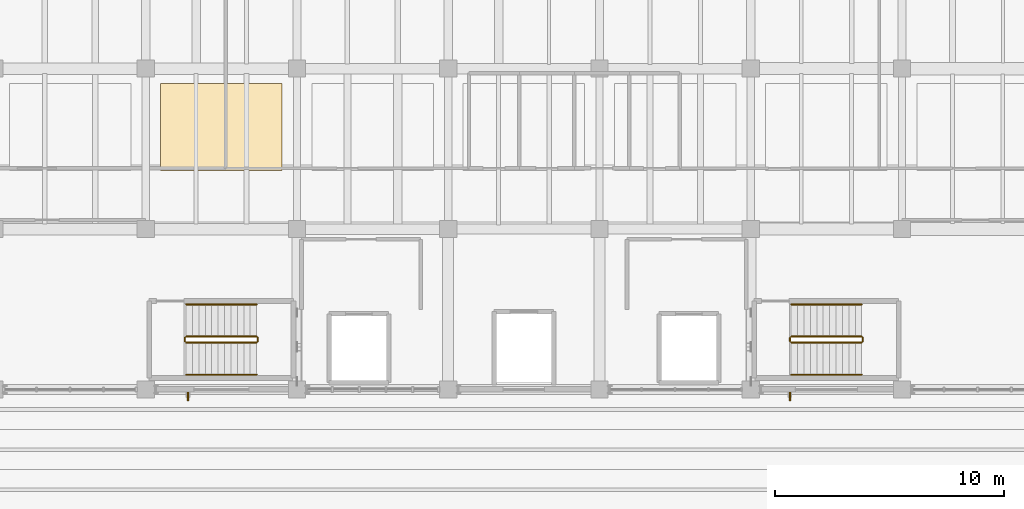
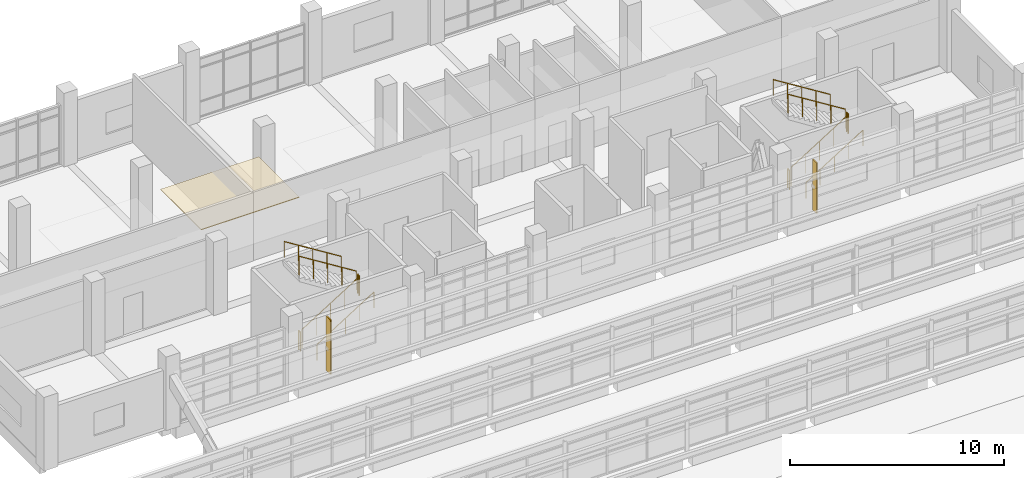
# One storey, part 91 of 92: 12 railings, 2 shading devices, 1 covering.
"""IFC4 building model written with IfcOpenShell, lengths in metres."""

from ifc_helpers import new_model, si_unit, direction, frame, origin, origin_2d, place, context, subcontext, project, spatial, polyline, rectangle, circle, outline, extrude, material, layer, layer_set, material_profile, profile_set, type_object, element, save


model = new_model("IFC4")

# Units and contexts
model_context = context("Model", 3, precision=1e-05, world=origin(), true_north=direction((0.0, 1.0)))
body_context = subcontext(model_context, "Body", "Model", "MODEL_VIEW")
ifc_project = project(units=[si_unit("LENGTHUNIT", "METRE"), si_unit("AREAUNIT", "SQUARE_METRE"), si_unit("VOLUMEUNIT", "CUBIC_METRE"), si_unit("PLANEANGLEUNIT", "RADIAN"), si_unit("MASSUNIT", "GRAM", prefix="KILO")], contexts=[model_context])

# Site, building, storey
site_placement = place(None, origin())
site = spatial("IfcSite", under=ifc_project, at=site_placement, CompositionType="ELEMENT")
building_placement = place(site_placement, origin())
building = spatial("IfcBuilding", under=site, at=building_placement, Name="Ciguamira Faculty of Natural Sciences", CompositionType="ELEMENT")
storey_placement = place(building_placement, frame((0.0, 0.0, 16.800048828125)))
storey = spatial("IfcBuildingStorey", under=building, at=storey_placement, Name="L04", CompositionType="ELEMENT", Elevation=16.800048828125)

# Covering
ifc_material_1 = material(Name="Perforated white acoustic ceiling")
ifc_layer = layer(ifc_material_1, 0.0400390625, Name="Perforated white acoustic ceiling")
ifc_layer_set = layer_set([ifc_layer], Name="Perforated white acoustic ceiling")
covering_type = type_object("IfcCoveringType", Name="AcousticCeiling_AC01", PredefinedType="CEILING", material=ifc_layer_set)
covering_placement = place(storey_placement, frame((0.0, 0.0, 2.760009765625)))
element("IfcCovering", 1, at=covering_placement, inside=storey, type_object=covering_type, Name="L04 research bay 02 acoustic ceiling", PredefinedType="CEILING", context=body_context, shape_type="SweptSolid", body=[
    extrude(outline(polyline([(71.14990234375, 103.550048828125), (76.449951171875, 103.550048828125), (76.449951171875, 107.35009765625), (71.14990234375, 107.35009765625), (71.14990234375, 103.550048828125)])), origin(), (0.0, 0.0, 1.0), 0.0400390625),
])

# Railings
ifc_material_2 = material(Name="Stainless steel balustrade", Category="steel")
railing_type_1 = type_object("IfcRailingType", Name="Guardrail_GR01", PredefinedType="GUARDRAIL", material=ifc_material_2)
railing_1_placement = place(storey_placement, frame((72.260009765625, 96.050048828125, 0.175048828125)))
element("IfcRailing", 2, at=railing_1_placement, inside=storey, type_object=railing_type_1, Name="L04 ST-T1 stair guard 1", PredefinedType="GUARDRAIL", context=body_context, shape_type="SweptSolid", body=[
    extrude(circle(Radius=0.02392578125, at=origin_2d()), frame((0.0, 0.0, 1.076171875), z_axis=(0.848028513186, 0.0, 0.529950602248), x_axis=(0.0, 1.0, 0.0)), (0.0, 0.0, 1.0), 3.632080078125),
    extrude(circle(Radius=0.02099609375, at=origin_2d()), origin(), (0.0, 0.0, 1.0), 1.052001953125),
    extrude(circle(Radius=0.02099609375, at=origin_2d()), frame((0.77001953125, 0.0, 0.481201171875)), (0.0, 0.0, 1.0), 1.052001953125),
    extrude(circle(Radius=0.02099609375, at=origin_2d()), frame((1.5400390625, 0.0, 0.96240234375)), (0.0, 0.0, 1.0), 1.052001953125),
    extrude(circle(Radius=0.02099609375, at=origin_2d()), frame((2.31005859375, 0.0, 1.443603515625)), (0.0, 0.0, 1.0), 1.052001953125),
    extrude(circle(Radius=0.02099609375, at=origin_2d()), frame((3.080078125, 0.0, 1.9248046875)), (0.0, 0.0, 1.0), 1.052001953125),
])
railing_2_placement = place(storey_placement, frame((75.389892578125, 96.10009765625, 2.099853515625)))
element("IfcRailing", 3, at=railing_2_placement, inside=storey, type_object=railing_type_1, Name="L04 ST-T1 stair guard 2", PredefinedType="GUARDRAIL", context=body_context, shape_type="SweptSolid", body=[
    extrude(circle(Radius=0.02392578125, at=origin_2d()), frame((0.0, 0.0, 1.076171875), z_axis=(0.0, 1.0, 0.0), x_axis=(-1.0, 0.0, 0.0)), (0.0, 0.0, 1.0), 0.159912109375),
    extrude(circle(Radius=0.02099609375, at=origin_2d()), origin(), (0.0, 0.0, 1.0), 1.052001953125),
    extrude(circle(Radius=0.02099609375, at=origin_2d()), frame((0.0, 0.159912109375, 0.0)), (0.0, 0.0, 1.0), 1.052001953125),
])
railing_3_placement = place(storey_placement, frame((75.340087890625, 96.31005859375, 2.27490234375)))
element("IfcRailing", 4, at=railing_3_placement, inside=storey, type_object=railing_type_1, Name="L04 ST-T1 stair guard 3", PredefinedType="GUARDRAIL", context=body_context, shape_type="SweptSolid", body=[
    extrude(circle(Radius=0.02392578125, at=origin_2d()), frame((0.0, 0.0, 1.076171875), z_axis=(-0.847998304005, 0.0, 0.529998940003), x_axis=(0.0, -1.0, 0.0)), (0.0, 0.0, 1.0), 3.632080078125),
    extrude(circle(Radius=0.02099609375, at=origin_2d()), origin(), (0.0, 0.0, 1.0), 1.052001953125),
    extrude(circle(Radius=0.02099609375, at=origin_2d()), frame((-0.77001953125, 0.0, 0.481201171875)), (0.0, 0.0, 1.0), 1.052001953125),
    extrude(circle(Radius=0.02099609375, at=origin_2d()), frame((-1.5400390625, 0.0, 0.96240234375)), (0.0, 0.0, 1.0), 1.052001953125),
    extrude(circle(Radius=0.02099609375, at=origin_2d()), frame((-2.31005859375, 0.0, 1.44384765625)), (0.0, 0.0, 1.0), 1.052001953125),
    extrude(circle(Radius=0.02099609375, at=origin_2d()), frame((-3.080078125, 0.0, 1.925048828125)), (0.0, 0.0, 1.0), 1.052001953125),
])
railing_4_placement = place(storey_placement, frame((72.2099609375, 96.10009765625, 0.0)))
element("IfcRailing", 5, at=railing_4_placement, inside=storey, type_object=railing_type_1, Name="L04 ST-T1 stair guard 4", PredefinedType="GUARDRAIL", context=body_context, shape_type="SweptSolid", body=[
    extrude(circle(Radius=0.02392578125, at=origin_2d()), frame((0.0, 0.0, 1.076171875), z_axis=(0.0, 1.0, 0.0), x_axis=(-1.0, 0.0, 0.0)), (0.0, 0.0, 1.0), 0.159912109375),
    extrude(circle(Radius=0.02099609375, at=origin_2d()), origin(), (0.0, 0.0, 1.0), 1.052001953125),
    extrude(circle(Radius=0.02099609375, at=origin_2d()), frame((0.0, 0.159912109375, 0.0)), (0.0, 0.0, 1.0), 1.052001953125),
])
railing_5_placement = place(storey_placement, frame((98.659912109375, 96.050048828125, 0.175048828125)))
element("IfcRailing", 6, at=railing_5_placement, inside=storey, type_object=railing_type_1, Name="L04 ST-T2 stair guard 1", PredefinedType="GUARDRAIL", context=body_context, shape_type="SweptSolid", body=[
    extrude(circle(Radius=0.02392578125, at=origin_2d()), frame((0.0, 0.0, 1.076171875), z_axis=(0.848028513186, 0.0, 0.529950602248), x_axis=(0.0, 1.0, 0.0)), (0.0, 0.0, 1.0), 3.632080078125),
    extrude(circle(Radius=0.02099609375, at=origin_2d()), origin(), (0.0, 0.0, 1.0), 1.052001953125),
    extrude(circle(Radius=0.02099609375, at=origin_2d()), frame((0.77001953125, 0.0, 0.481201171875)), (0.0, 0.0, 1.0), 1.052001953125),
    extrude(circle(Radius=0.02099609375, at=origin_2d()), frame((1.5400390625, 0.0, 0.96240234375)), (0.0, 0.0, 1.0), 1.052001953125),
    extrude(circle(Radius=0.02099609375, at=origin_2d()), frame((2.31005859375, 0.0, 1.443603515625)), (0.0, 0.0, 1.0), 1.052001953125),
    extrude(circle(Radius=0.02099609375, at=origin_2d()), frame((3.080078125, 0.0, 1.9248046875)), (0.0, 0.0, 1.0), 1.052001953125),
])
railing_6_placement = place(storey_placement, frame((101.7900390625, 96.10009765625, 2.099853515625)))
element("IfcRailing", 7, at=railing_6_placement, inside=storey, type_object=railing_type_1, Name="L04 ST-T2 stair guard 2", PredefinedType="GUARDRAIL", context=body_context, shape_type="SweptSolid", body=[
    extrude(circle(Radius=0.02392578125, at=origin_2d()), frame((0.0, 0.0, 1.076171875), z_axis=(0.0, 1.0, 0.0), x_axis=(-1.0, 0.0, 0.0)), (0.0, 0.0, 1.0), 0.159912109375),
    extrude(circle(Radius=0.02099609375, at=origin_2d()), origin(), (0.0, 0.0, 1.0), 1.052001953125),
    extrude(circle(Radius=0.02099609375, at=origin_2d()), frame((0.0, 0.159912109375, 0.0)), (0.0, 0.0, 1.0), 1.052001953125),
])
railing_7_placement = place(storey_placement, frame((101.739990234375, 96.31005859375, 2.27490234375)))
element("IfcRailing", 8, at=railing_7_placement, inside=storey, type_object=railing_type_1, Name="L04 ST-T2 stair guard 3", PredefinedType="GUARDRAIL", context=body_context, shape_type="SweptSolid", body=[
    extrude(circle(Radius=0.02392578125, at=origin_2d()), frame((0.0, 0.0, 1.076171875), z_axis=(-0.847998304005, 0.0, 0.529998940003), x_axis=(0.0, -1.0, 0.0)), (0.0, 0.0, 1.0), 3.632080078125),
    extrude(circle(Radius=0.02099609375, at=origin_2d()), origin(), (0.0, 0.0, 1.0), 1.052001953125),
    extrude(circle(Radius=0.02099609375, at=origin_2d()), frame((-0.77001953125, 0.0, 0.481201171875)), (0.0, 0.0, 1.0), 1.052001953125),
    extrude(circle(Radius=0.02099609375, at=origin_2d()), frame((-1.5400390625, 0.0, 0.96240234375)), (0.0, 0.0, 1.0), 1.052001953125),
    extrude(circle(Radius=0.02099609375, at=origin_2d()), frame((-2.31005859375, 0.0, 1.44384765625)), (0.0, 0.0, 1.0), 1.052001953125),
    extrude(circle(Radius=0.02099609375, at=origin_2d()), frame((-3.080078125, 0.0, 1.925048828125)), (0.0, 0.0, 1.0), 1.052001953125),
])
railing_8_placement = place(storey_placement, frame((98.610107421875, 96.10009765625, 0.0)))
element("IfcRailing", 9, at=railing_8_placement, inside=storey, type_object=railing_type_1, Name="L04 ST-T2 stair guard 4", PredefinedType="GUARDRAIL", context=body_context, shape_type="SweptSolid", body=[
    extrude(circle(Radius=0.02392578125, at=origin_2d()), frame((0.0, 0.0, 1.076171875), z_axis=(0.0, 1.0, 0.0), x_axis=(-1.0, 0.0, 0.0)), (0.0, 0.0, 1.0), 0.159912109375),
    extrude(circle(Radius=0.02099609375, at=origin_2d()), origin(), (0.0, 0.0, 1.0), 1.052001953125),
    extrude(circle(Radius=0.02099609375, at=origin_2d()), frame((0.0, 0.159912109375, 0.0)), (0.0, 0.0, 1.0), 1.052001953125),
])
ifc_material_3 = material(Name="Stainless steel handrail", Category="steel")
railing_type_2 = type_object("IfcRailingType", Name="Handrail_HR01", PredefinedType="HANDRAIL", material=ifc_material_3)
railing_9_placement = place(storey_placement, frame((72.260009765625, 94.64990234375, 0.349853515625)))
element("IfcRailing", 10, at=railing_9_placement, inside=storey, type_object=railing_type_2, Name="L04 ST-T1 stair handrail 1", PredefinedType="HANDRAIL", context=body_context, shape_type="SweptSolid", body=[
    extrude(circle(Radius=0.02392578125, at=origin_2d()), frame((0.0, 0.0, 0.89111328125), z_axis=(0.847998304005, 0.0, 0.529998940003), x_axis=(0.0, 1.0, 0.0)), (0.0, 0.0, 1.0), 3.632080078125),
    extrude(circle(Radius=0.02099609375, at=origin_2d()), origin(), (0.0, 0.0, 1.0), 0.866943359375),
    extrude(circle(Radius=0.02099609375, at=origin_2d()), frame((0.77001953125, 0.0, 0.481201171875)), (0.0, 0.0, 1.0), 0.866943359375),
    extrude(circle(Radius=0.02099609375, at=origin_2d()), frame((1.5400390625, 0.0, 0.96240234375)), (0.0, 0.0, 1.0), 0.866943359375),
    extrude(circle(Radius=0.02099609375, at=origin_2d()), frame((2.31005859375, 0.0, 1.44384765625)), (0.0, 0.0, 1.0), 0.866943359375),
    extrude(circle(Radius=0.02099609375, at=origin_2d()), frame((3.080078125, 0.0, 1.925048828125)), (0.0, 0.0, 1.0), 0.866943359375),
])
railing_10_placement = place(storey_placement, frame((75.340087890625, 97.7099609375, 2.449951171875)))
element("IfcRailing", 11, at=railing_10_placement, inside=storey, type_object=railing_type_2, Name="L04 ST-T1 stair handrail 2", PredefinedType="HANDRAIL", context=body_context, shape_type="SweptSolid", body=[
    extrude(circle(Radius=0.02392578125, at=origin_2d()), frame((0.0, 0.0, 0.89111328125), z_axis=(-0.847998304005, 0.0, 0.529998940003), x_axis=(0.0, -1.0, 0.0)), (0.0, 0.0, 1.0), 3.632080078125),
    extrude(circle(Radius=0.02099609375, at=origin_2d()), origin(), (0.0, 0.0, 1.0), 0.866943359375),
    extrude(circle(Radius=0.02099609375, at=origin_2d()), frame((-0.77001953125, 0.0, 0.481201171875)), (0.0, 0.0, 1.0), 0.866943359375),
    extrude(circle(Radius=0.02099609375, at=origin_2d()), frame((-1.5400390625, 0.0, 0.96240234375)), (0.0, 0.0, 1.0), 0.866943359375),
    extrude(circle(Radius=0.02099609375, at=origin_2d()), frame((-2.31005859375, 0.0, 1.44384765625)), (0.0, 0.0, 1.0), 0.866943359375),
    extrude(circle(Radius=0.02099609375, at=origin_2d()), frame((-3.080078125, 0.0, 1.925048828125)), (0.0, 0.0, 1.0), 0.866943359375),
])
railing_11_placement = place(storey_placement, frame((98.659912109375, 94.64990234375, 0.349853515625)))
element("IfcRailing", 12, at=railing_11_placement, inside=storey, type_object=railing_type_2, Name="L04 ST-T2 stair handrail 1", PredefinedType="HANDRAIL", context=body_context, shape_type="SweptSolid", body=[
    extrude(circle(Radius=0.02392578125, at=origin_2d()), frame((0.0, 0.0, 0.89111328125), z_axis=(0.847998304005, 0.0, 0.529998940003), x_axis=(0.0, 1.0, 0.0)), (0.0, 0.0, 1.0), 3.632080078125),
    extrude(circle(Radius=0.02099609375, at=origin_2d()), origin(), (0.0, 0.0, 1.0), 0.866943359375),
    extrude(circle(Radius=0.02099609375, at=origin_2d()), frame((0.77001953125, 0.0, 0.481201171875)), (0.0, 0.0, 1.0), 0.866943359375),
    extrude(circle(Radius=0.02099609375, at=origin_2d()), frame((1.5400390625, 0.0, 0.96240234375)), (0.0, 0.0, 1.0), 0.866943359375),
    extrude(circle(Radius=0.02099609375, at=origin_2d()), frame((2.31005859375, 0.0, 1.44384765625)), (0.0, 0.0, 1.0), 0.866943359375),
    extrude(circle(Radius=0.02099609375, at=origin_2d()), frame((3.080078125, 0.0, 1.925048828125)), (0.0, 0.0, 1.0), 0.866943359375),
])
railing_12_placement = place(storey_placement, frame((101.739990234375, 97.7099609375, 2.449951171875)))
element("IfcRailing", 13, at=railing_12_placement, inside=storey, type_object=railing_type_2, Name="L04 ST-T2 stair handrail 2", PredefinedType="HANDRAIL", context=body_context, shape_type="SweptSolid", body=[
    extrude(circle(Radius=0.02392578125, at=origin_2d()), frame((0.0, 0.0, 0.89111328125), z_axis=(-0.847998304005, 0.0, 0.529998940003), x_axis=(0.0, -1.0, 0.0)), (0.0, 0.0, 1.0), 3.632080078125),
    extrude(circle(Radius=0.02099609375, at=origin_2d()), origin(), (0.0, 0.0, 1.0), 0.866943359375),
    extrude(circle(Radius=0.02099609375, at=origin_2d()), frame((-0.77001953125, 0.0, 0.481201171875)), (0.0, 0.0, 1.0), 0.866943359375),
    extrude(circle(Radius=0.02099609375, at=origin_2d()), frame((-1.5400390625, 0.0, 0.96240234375)), (0.0, 0.0, 1.0), 0.866943359375),
    extrude(circle(Radius=0.02099609375, at=origin_2d()), frame((-2.31005859375, 0.0, 1.44384765625)), (0.0, 0.0, 1.0), 0.866943359375),
    extrude(circle(Radius=0.02099609375, at=origin_2d()), frame((-3.080078125, 0.0, 1.925048828125)), (0.0, 0.0, 1.0), 0.866943359375),
])

# Shading devices
ifc_material_4 = material(Name="Anodized bronze sunshade fin")
ifc_material_profile = material_profile(ifc_material_4, rectangle(XDim=0.06494140625, YDim=0.3798828125, at=origin_2d()), Name="BRZ-FIN-65X380")
ifc_profile_set = profile_set([ifc_material_profile], Name="Anodized bronze sunshade fin")
shading_device_type = type_object("IfcShadingDeviceType", Name="SunFin_SF01", PredefinedType="USERDEFINED", material=ifc_profile_set)
shading_device_1_placement = place(storey_placement, frame((72.35009765625, 93.68994140625, 0.199951171875), z_axis=(0.0, 0.0, 1.0), x_axis=(1.0, 0.0, 0.0)))
element("IfcShadingDevice", 14, at=shading_device_1_placement, inside=storey, type_object=shading_device_type, Name="L04 bronze vertical sunshade fin 0028", ObjectType="SUNSHADE FIN", PredefinedType="USERDEFINED", context=body_context, shape_type="SweptSolid", body=[
    extrude(rectangle(XDim=0.06494140625, YDim=0.3798828125, at=origin_2d()), origin(), (0.0, 0.0, 1.0), 3.114990234375),
])
shading_device_2_placement = place(storey_placement, frame((98.60009765625, 93.68994140625, 0.199951171875), z_axis=(0.0, 0.0, 1.0), x_axis=(1.0, 0.0, 0.0)))
element("IfcShadingDevice", 15, at=shading_device_2_placement, inside=storey, type_object=shading_device_type, Name="L04 bronze vertical sunshade fin 0029", ObjectType="SUNSHADE FIN", PredefinedType="USERDEFINED", context=body_context, shape_type="SweptSolid", body=[
    extrude(rectangle(XDim=0.06494140625, YDim=0.3798828125, at=origin_2d()), origin(), (0.0, 0.0, 1.0), 2.885009765625),
])

save(model, "model.ifc")
